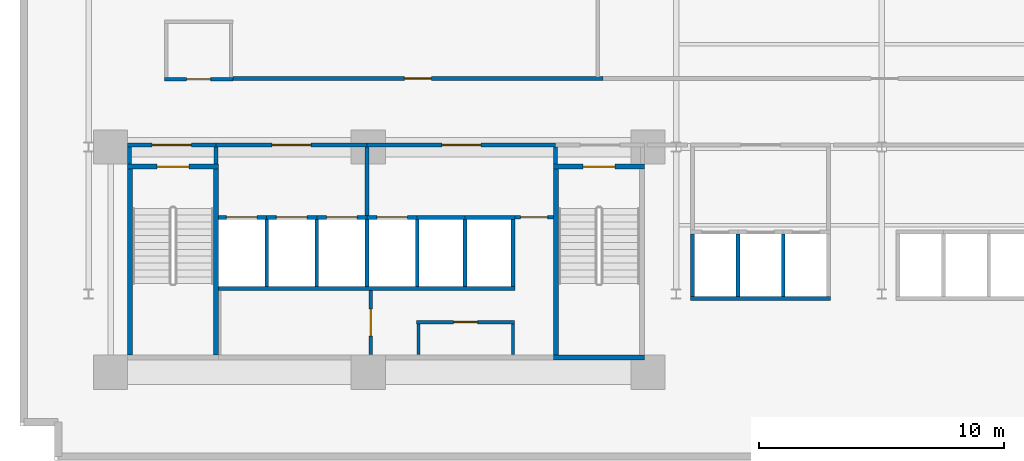
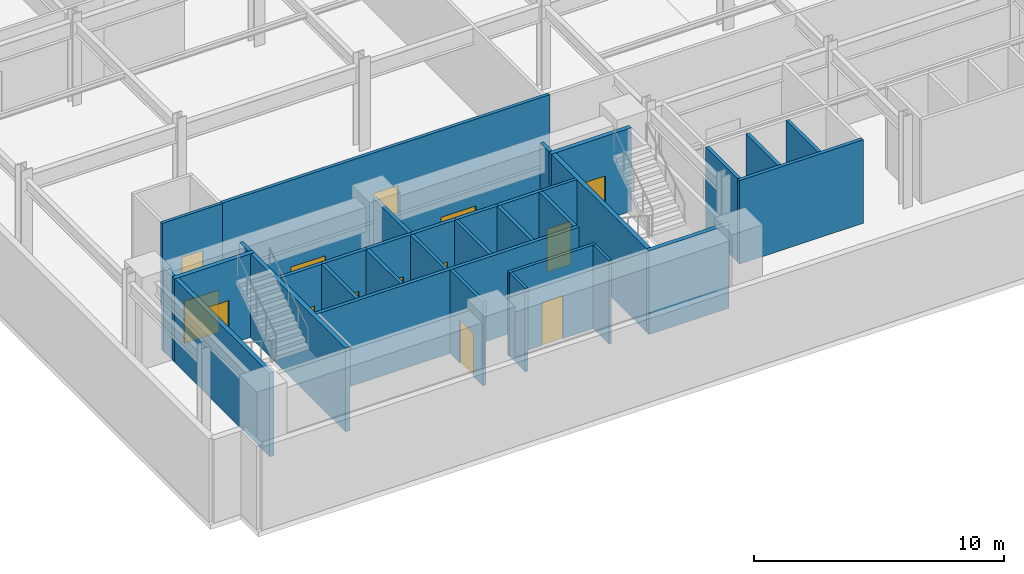
# One storey, part 14 of 23: 37 walls, 14 doors, 14 openings.
"""IFC4 building model written with IfcOpenShell, lengths in metres."""

from ifc_helpers import new_model, si_unit, direction, frame, frame_2d, origin, place, context, subcontext, project, spatial, rectangle, extrude, material, layer, layer_set, type_object, element, fill, save


model = new_model("IFC4")

# Units and contexts
model_context = context("Model", 3, precision=1e-05, world=origin(), true_north=direction((0.0, 1.0)))
body_context = subcontext(model_context, "Body", "Model", "MODEL_VIEW")
ifc_project = project(units=[si_unit("LENGTHUNIT", "METRE"), si_unit("AREAUNIT", "SQUARE_METRE"), si_unit("VOLUMEUNIT", "CUBIC_METRE"), si_unit("PLANEANGLEUNIT", "RADIAN"), si_unit("MASSUNIT", "GRAM", prefix="KILO")], contexts=[model_context])

# Site, building, storey
site_placement = place(None, origin())
site = spatial("IfcSite", under=ifc_project, at=site_placement, CompositionType="ELEMENT")
building_placement = place(site_placement, origin())
building = spatial("IfcBuilding", under=site, at=building_placement, Name="Varnakote Quay Hospital", CompositionType="ELEMENT")
storey_placement = place(building_placement, frame((0.0, 0.0, 18.0)))
storey = spatial("IfcBuildingStorey", under=building, at=storey_placement, Name="L04", CompositionType="ELEMENT", Elevation=18.0)

# Wall
ifc_material_1 = material(Name="Fire-rated acoustic gypsum stud wall", Category="gypsum")
ifc_layer_1 = layer(ifc_material_1, 0.159912109375)
ifc_layer_set_1 = layer_set([ifc_layer_1], Name="Fire-rated acoustic gypsum stud wall")
wall_type_1 = type_object("IfcWallType", Name="WL-COMP-160", PredefinedType="PARTITIONING", material=ifc_layer_set_1)
wall_1_placement = place(storey_placement, frame((2.8798828125, 11.300048828125, 0.0), z_axis=(0.0, 0.0, 1.0), x_axis=(0.0, 1.0, 0.0)))
element("IfcWall", 1, at=wall_1_placement, inside=storey, type_object=wall_type_1, Name="L04 West Stair Vestibule West Wall", PredefinedType="PARTITIONING", context=body_context, shape_type="SweptSolid", body=[
    extrude(rectangle(XDim=0.699951171875, YDim=0.159912109375, at=frame_2d((0.35009765625, 0.0))), origin(), (0.0, 0.0, 1.0), 4.080078125),
])

# Wall, opening, door
wall_2_placement = place(storey_placement, frame((2.800048828125, 12.080078125, 0.0), z_axis=(0.0, 0.0, 1.0), x_axis=(1.0, 0.0, 0.0)))
wall_2 = element("IfcWall", 2, at=wall_2_placement, inside=storey, type_object=wall_type_1, Name="L04 West Stair Vestibule Smoke Wall", PredefinedType="PARTITIONING", context=body_context, shape_type="SweptSolid", body=[
    extrude(rectangle(XDim=3.599853515625, YDim=0.159912109375, at=frame_2d((1.7998046875, 0.0))), origin(), (0.0, 0.0, 1.0), 2.85498046875),
])
opening_1_placement = place(wall_2_placement, frame((1.0, 0.0, 0.0)))
opening_1 = element("IfcOpeningElement", 3, at=opening_1_placement, cuts=wall_2, Name="Opening D-ST1L-L04", PredefinedType="OPENING", context=body_context, shape_type="SweptSolid", body=[
    extrude(rectangle(XDim=1.60009765625, YDim=2.050048828125, at=frame_2d((0.800048828125, 1.02490234375))), frame((0.0, 0.08984375, 0.0), z_axis=(0.0, -1.0, 0.0), x_axis=(1.0, 0.0, 0.0)), (0.0, 0.0, 1.0), 0.179931640625),
])
ifc_material_2 = material(Name="Fire-rated double smoke lobby door")
door_type_1 = type_object("IfcDoorType", Name="DR-LOBBY-FD60S-1600x2150", OperationType="NOTDEFINED", PredefinedType="DOOR", material=ifc_material_2)
door_1_placement = place(opening_1_placement, origin())
door_1 = element("IfcDoor", 4, at=door_1_placement, inside=storey, type_object=door_type_1, Name="L04 West Stair Vestibule Smoke Door", OperationType="DOUBLE_DOOR_SINGLE_SWING", OverallHeight=2.050048828125, OverallWidth=1.60009765625, PredefinedType="DOOR", context=body_context, shape_type="SweptSolid", body=[
    extrude(rectangle(XDim=1.60009765625, YDim=2.050048828125, at=frame_2d((0.800048828125, 1.02490234375))), frame((0.0, 0.02490234375, 0.0), z_axis=(0.0, -1.0, 0.0), x_axis=(1.0, 0.0, 0.0)), (0.0, 0.0, 1.0), 0.050048828125),
])
fill(opening_1, door_1)

# Wall
wall_3_placement = place(storey_placement, frame((6.39990234375, 11.300048828125, 0.0), z_axis=(0.0, 0.0, 1.0), x_axis=(0.0, 1.0, 0.0)))
element("IfcWall", 5, at=wall_3_placement, inside=storey, type_object=wall_type_1, Name="L04 Firefighting Lobby West Wall", PredefinedType="PARTITIONING", context=body_context, shape_type="SweptSolid", body=[
    extrude(rectangle(XDim=0.699951171875, YDim=0.159912109375, at=frame_2d((0.35009765625, 0.0))), origin(), (0.0, 0.0, 1.0), 4.080078125),
])

# Wall, opening, door
wall_4_placement = place(storey_placement, frame((6.39990234375, 12.080078125, 0.0), z_axis=(0.0, 0.0, 1.0), x_axis=(1.0, 0.0, 0.0)))
wall_4 = element("IfcWall", 6, at=wall_4_placement, inside=storey, type_object=wall_type_1, Name="L04 Firefighting Lift Lobby Compartment Wall", PredefinedType="PARTITIONING", context=body_context, shape_type="SweptSolid", body=[
    extrude(rectangle(XDim=6.18017578125, YDim=0.159912109375, at=frame_2d((3.090087890625, 0.0))), origin(), (0.0, 0.0, 1.0), 2.85498046875),
])
opening_2_placement = place(wall_4_placement, frame((2.2900390625, 0.0, 0.0)))
opening_2 = element("IfcOpeningElement", 7, at=opening_2_placement, cuts=wall_4, Name="Opening D-FFL-L04", PredefinedType="OPENING", context=body_context, shape_type="SweptSolid", body=[
    extrude(rectangle(XDim=1.60009765625, YDim=2.050048828125, at=frame_2d((0.800048828125, 1.02490234375))), frame((0.0, 0.08984375, 0.0), z_axis=(0.0, -1.0, 0.0), x_axis=(1.0, 0.0, 0.0)), (0.0, 0.0, 1.0), 0.179931640625),
])
door_2_placement = place(opening_2_placement, origin())
door_2 = element("IfcDoor", 8, at=door_2_placement, inside=storey, type_object=door_type_1, Name="L04 Firefighting Smoke Vestibule Door", OperationType="DOUBLE_DOOR_SINGLE_SWING", OverallHeight=2.050048828125, OverallWidth=1.60009765625, PredefinedType="DOOR", context=body_context, shape_type="SweptSolid", body=[
    extrude(rectangle(XDim=1.60009765625, YDim=2.050048828125, at=frame_2d((0.800048828125, 1.02490234375))), frame((0.0, 0.02490234375, 0.0), z_axis=(0.0, -1.0, 0.0), x_axis=(1.0, 0.0, 0.0)), (0.0, 0.0, 1.0), 0.050048828125),
])
fill(opening_2, door_2)

# Wall
wall_5_placement = place(storey_placement, frame((12.580078125, 9.2099609375, 0.0), z_axis=(0.0, 0.0, 1.0), x_axis=(0.0, 1.0, 0.0)))
element("IfcWall", 9, at=wall_5_placement, inside=storey, type_object=wall_type_1, Name="L04 Firefighting to Service Lobby Wall", PredefinedType="PARTITIONING", context=body_context, shape_type="SweptSolid", body=[
    extrude(rectangle(XDim=2.7900390625, YDim=0.159912109375, at=frame_2d((1.39501953125, 0.0))), origin(), (0.0, 0.0, 1.0), 4.080078125),
])

# Wall, opening, door
wall_6_placement = place(storey_placement, frame((12.580078125, 12.080078125, 0.0), z_axis=(0.0, 0.0, 1.0), x_axis=(1.0, 0.0, 0.0)))
wall_6 = element("IfcWall", 10, at=wall_6_placement, inside=storey, type_object=wall_type_1, Name="L04 Clinical Bed Lift Lobby Wall", PredefinedType="PARTITIONING", context=body_context, shape_type="SweptSolid", body=[
    extrude(rectangle(XDim=7.699951171875, YDim=0.159912109375, at=frame_2d((3.85009765625, 0.0))), origin(), (0.0, 0.0, 1.0), 2.85498046875),
])
opening_3_placement = place(wall_6_placement, frame((3.050048828125, 0.0, 0.0)))
opening_3 = element("IfcOpeningElement", 11, at=opening_3_placement, cuts=wall_6, Name="Opening D-SVL-L04", PredefinedType="OPENING", context=body_context, shape_type="SweptSolid", body=[
    extrude(rectangle(XDim=1.60009765625, YDim=2.050048828125, at=frame_2d((0.800048828125, 1.02490234375))), frame((0.0, 0.08984375, 0.0), z_axis=(0.0, -1.0, 0.0), x_axis=(1.0, 0.0, 0.0)), (0.0, 0.0, 1.0), 0.179931640625),
])
door_3_placement = place(opening_3_placement, origin())
door_3 = element("IfcDoor", 12, at=door_3_placement, inside=storey, type_object=door_type_1, Name="L04 Clinical Core Smoke Vestibule Door", OperationType="DOUBLE_DOOR_SINGLE_SWING", OverallHeight=2.050048828125, OverallWidth=1.60009765625, PredefinedType="DOOR", context=body_context, shape_type="SweptSolid", body=[
    extrude(rectangle(XDim=1.60009765625, YDim=2.050048828125, at=frame_2d((0.800048828125, 1.02490234375))), frame((0.0, 0.02490234375, 0.0), z_axis=(0.0, -1.0, 0.0), x_axis=(1.0, 0.0, 0.0)), (0.0, 0.0, 1.0), 0.050048828125),
])
fill(opening_3, door_3)

# Walls
wall_7_placement = place(storey_placement, frame((20.280029296875, 11.300048828125, 0.0), z_axis=(0.0, 0.0, 1.0), x_axis=(0.0, 1.0, 0.0)))
element("IfcWall", 13, at=wall_7_placement, inside=storey, type_object=wall_type_1, Name="L04 East Stair Vestibule Divider Wall", PredefinedType="PARTITIONING", context=body_context, shape_type="SweptSolid", body=[
    extrude(rectangle(XDim=0.699951171875, YDim=0.159912109375, at=frame_2d((0.35009765625, 0.0))), origin(), (0.0, 0.0, 1.0), 4.080078125),
])
ifc_material_3 = material(Name="Concrete N50 (f'c 50 MPa)", Category="concrete")
ifc_layer_2 = layer(ifc_material_3, 0.14990234375)
ifc_layer_set_2 = layer_set([ifc_layer_2], Name="Concrete N50 (f'c 50 MPa)")
wall_type_2 = type_object("IfcWallType", Name="WL-SHAFT-N50-150", PredefinedType="SHEAR", material=ifc_layer_set_2)
for number, where, z_axis, x_axis, name in (
    (14, (8.47509765625, 6.300048828125, 0.0), (0.0, 0.0, 1.0), (0.0, 1.0, 0.0), "L04 LF-FF1 Hoistway Divider Wall"),
    (15, (10.52490234375, 6.300048828125, 0.0), (0.0, 0.0, 1.0), (0.0, 1.0, 0.0), "L04 LF-FF2 Hoistway Divider Wall"),
    (16, (12.574951171875, 6.300048828125, 0.0), (0.0, 0.0, 1.0), (0.0, 1.0, 0.0), "L04 LF-SV1 Hoistway Divider Wall"),
    (17, (14.625, 6.300048828125, 0.0), (0.0, 0.0, 1.0), (0.0, 1.0, 0.0), "L04 LF-SV2 Hoistway Divider Wall"),
    (18, (16.574951171875, 6.300048828125, 0.0), (0.0, 0.0, 1.0), (0.0, 1.0, 0.0), "L04 LF-PH1 Hoistway Divider Wall"),
):
    element("IfcWall", number, at=place(storey_placement, frame(where, z_axis=z_axis, x_axis=x_axis)), inside=storey, type_object=wall_type_2, Name=name, PredefinedType="SHEAR", context=body_context, shape_type="SweptSolid", body=[
        extrude(rectangle(XDim=2.75, YDim=0.14990234375, at=frame_2d((1.375, 0.0))), origin(), (0.0, 0.0, 1.0), 4.080078125),
    ])
for number, where, z_axis, x_axis, name in (
    (19, (27.72509765625, 5.89990234375, 0.0), (0.0, 0.0, 1.0), (0.0, 1.0, 0.0), "L04 LF-PL1 Hoistway Divider Wall"),
    (20, (29.574951171875, 5.89990234375, 0.0), (0.0, 0.0, 1.0), (0.0, 1.0, 0.0), "L04 LF-PL2 Hoistway Divider Wall"),
):
    element("IfcWall", number, at=place(storey_placement, frame(where, z_axis=z_axis, x_axis=x_axis)), inside=storey, type_object=wall_type_2, Name=name, PredefinedType="SHEAR", context=body_context, shape_type="SweptSolid", body=[
        extrude(rectangle(XDim=2.550048828125, YDim=0.14990234375, at=frame_2d((1.27490234375, 0.0))), origin(), (0.0, 0.0, 1.0), 4.080078125),
    ])
ifc_material_4 = material(Name="Concrete N50 (f'c 50 MPa)", Category="concrete")
ifc_layer_3 = layer(ifc_material_4, 0.159912109375)
ifc_layer_set_3 = layer_set([ifc_layer_3], Name="Concrete N50 (f'c 50 MPa)")
wall_type_3 = type_object("IfcWallType", Name="WL-SHAFT-N50-160", PredefinedType="SHEAR", material=ifc_layer_set_3)
wall_8_placement = place(storey_placement, frame((6.5, 6.219970703125, 0.0), z_axis=(0.0, 0.0, 1.0), x_axis=(1.0, 0.0, 0.0)))
element("IfcWall", 21, at=wall_8_placement, inside=storey, type_object=wall_type_3, Name="L04 REAR Lift Bank Back Shear Wall", PredefinedType="SHEAR", context=body_context, shape_type="SweptSolid", body=[
    extrude(rectangle(XDim=12.110107421875, YDim=0.159912109375, at=frame_2d((6.05517578125, 0.0))), origin(), (0.0, 0.0, 1.0), 4.080078125),
])
wall_9_placement = place(storey_placement, frame((18.530029296875, 6.300048828125, 0.0), z_axis=(0.0, 0.0, 1.0), x_axis=(0.0, 1.0, 0.0)))
element("IfcWall", 22, at=wall_9_placement, inside=storey, type_object=wall_type_3, Name="L04 REAR Lift Bank East Shear Wall", PredefinedType="SHEAR", context=body_context, shape_type="SweptSolid", body=[
    extrude(rectangle(XDim=2.75, YDim=0.159912109375, at=frame_2d((1.375, 0.0))), origin(), (0.0, 0.0, 1.0), 4.080078125),
])

# Wall, opening, door
wall_10_placement = place(storey_placement, frame((6.5, 9.1298828125, 0.0), z_axis=(0.0, 0.0, 1.0), x_axis=(1.0, 0.0, 0.0)))
wall_10 = element("IfcWall", 23, at=wall_10_placement, inside=storey, type_object=wall_type_3, Name="L04 LF-FF1 Hoistway Front Wall", PredefinedType="SHEAR", context=body_context, shape_type="SweptSolid", body=[
    extrude(rectangle(XDim=1.97509765625, YDim=0.159912109375, at=frame_2d((0.987548828125, 0.0))), origin(), (0.0, 0.0, 1.0), 4.080078125),
])
opening_4_placement = place(wall_10_placement, frame((0.324951171875, 0.0, 0.0)))
opening_4 = element("IfcOpeningElement", 24, at=opening_4_placement, cuts=wall_10, Name="Opening LD-FF1-L04", PredefinedType="OPENING", context=body_context, shape_type="SweptSolid", body=[
    extrude(rectangle(XDim=1.25, YDim=2.14990234375, at=frame_2d((0.625, 1.074951171875))), frame((0.0, 0.08984375, 0.0), z_axis=(0.0, -1.0, 0.0), x_axis=(1.0, 0.0, 0.0)), (0.0, 0.0, 1.0), 0.179931640625),
])
ifc_material_5 = material(Name="Stainless steel lift landing sliding door", Category="steel")
door_type_2 = type_object("IfcDoorType", Name="DR-LIFT-LD-1250x2150", OperationType="NOTDEFINED", PredefinedType="DOOR", material=ifc_material_5)
door_4_placement = place(opening_4_placement, origin())
door_4 = element("IfcDoor", 25, at=door_4_placement, inside=storey, type_object=door_type_2, Name="L04 LF-FF1 Lift Landing Sliding Door", OperationType="SLIDING_TO_LEFT", OverallHeight=2.14990234375, OverallWidth=1.25, PredefinedType="DOOR", context=body_context, shape_type="SweptSolid", body=[
    extrude(rectangle(XDim=1.25, YDim=2.14990234375, at=frame_2d((0.625, 1.074951171875))), frame((0.0, 0.02490234375, 0.0), z_axis=(0.0, -1.0, 0.0), x_axis=(1.0, 0.0, 0.0)), (0.0, 0.0, 1.0), 0.050048828125),
])
fill(opening_4, door_4)

wall_11_placement = place(storey_placement, frame((8.47509765625, 9.1298828125, 0.0), z_axis=(0.0, 0.0, 1.0), x_axis=(1.0, 0.0, 0.0)))
wall_11 = element("IfcWall", 26, at=wall_11_placement, inside=storey, type_object=wall_type_3, Name="L04 LF-FF2 Hoistway Front Wall", PredefinedType="SHEAR", context=body_context, shape_type="SweptSolid", body=[
    extrude(rectangle(XDim=2.0498046875, YDim=0.159912109375, at=frame_2d((1.02490234375, 0.0))), origin(), (0.0, 0.0, 1.0), 4.080078125),
])
opening_5_placement = place(wall_11_placement, frame((0.39990234375, 0.0, 0.0)))
opening_5 = element("IfcOpeningElement", 27, at=opening_5_placement, cuts=wall_11, Name="Opening LD-FF2-L04", PredefinedType="OPENING", context=body_context, shape_type="SweptSolid", body=[
    extrude(rectangle(XDim=1.25, YDim=2.14990234375, at=frame_2d((0.625, 1.074951171875))), frame((0.0, 0.08984375, 0.0), z_axis=(0.0, -1.0, 0.0), x_axis=(1.0, 0.0, 0.0)), (0.0, 0.0, 1.0), 0.179931640625),
])
door_5_placement = place(opening_5_placement, origin())
door_5 = element("IfcDoor", 28, at=door_5_placement, inside=storey, type_object=door_type_2, Name="L04 LF-FF2 Lift Landing Sliding Door", OperationType="SLIDING_TO_LEFT", OverallHeight=2.14990234375, OverallWidth=1.25, PredefinedType="DOOR", context=body_context, shape_type="SweptSolid", body=[
    extrude(rectangle(XDim=1.25, YDim=2.14990234375, at=frame_2d((0.625, 1.074951171875))), frame((0.0, 0.02490234375, 0.0), z_axis=(0.0, -1.0, 0.0), x_axis=(1.0, 0.0, 0.0)), (0.0, 0.0, 1.0), 0.050048828125),
])
fill(opening_5, door_5)

wall_12_placement = place(storey_placement, frame((10.52490234375, 9.1298828125, 0.0), z_axis=(0.0, 0.0, 1.0), x_axis=(1.0, 0.0, 0.0)))
wall_12 = element("IfcWall", 29, at=wall_12_placement, inside=storey, type_object=wall_type_3, Name="L04 LF-SV1 Hoistway Front Wall", PredefinedType="SHEAR", context=body_context, shape_type="SweptSolid", body=[
    extrude(rectangle(XDim=2.050048828125, YDim=0.159912109375, at=frame_2d((1.02490234375, 0.0))), origin(), (0.0, 0.0, 1.0), 4.080078125),
])
opening_6_placement = place(wall_12_placement, frame((0.39990234375, 0.0, 0.0)))
opening_6 = element("IfcOpeningElement", 30, at=opening_6_placement, cuts=wall_12, Name="Opening LD-SV1-L04", PredefinedType="OPENING", context=body_context, shape_type="SweptSolid", body=[
    extrude(rectangle(XDim=1.25, YDim=2.14990234375, at=frame_2d((0.625, 1.074951171875))), frame((0.0, 0.08984375, 0.0), z_axis=(0.0, -1.0, 0.0), x_axis=(1.0, 0.0, 0.0)), (0.0, 0.0, 1.0), 0.179931640625),
])
door_6_placement = place(opening_6_placement, origin())
door_6 = element("IfcDoor", 31, at=door_6_placement, inside=storey, type_object=door_type_2, Name="L04 LF-SV1 Lift Landing Sliding Door", OperationType="SLIDING_TO_LEFT", OverallHeight=2.14990234375, OverallWidth=1.25, PredefinedType="DOOR", context=body_context, shape_type="SweptSolid", body=[
    extrude(rectangle(XDim=1.25, YDim=2.14990234375, at=frame_2d((0.625, 1.074951171875))), frame((0.0, 0.02490234375, 0.0), z_axis=(0.0, -1.0, 0.0), x_axis=(1.0, 0.0, 0.0)), (0.0, 0.0, 1.0), 0.050048828125),
])
fill(opening_6, door_6)

wall_13_placement = place(storey_placement, frame((12.574951171875, 9.1298828125, 0.0), z_axis=(0.0, 0.0, 1.0), x_axis=(1.0, 0.0, 0.0)))
wall_13 = element("IfcWall", 32, at=wall_13_placement, inside=storey, type_object=wall_type_3, Name="L04 LF-SV2 Hoistway Front Wall", PredefinedType="SHEAR", context=body_context, shape_type="SweptSolid", body=[
    extrude(rectangle(XDim=2.050048828125, YDim=0.159912109375, at=frame_2d((1.02490234375, 0.0))), origin(), (0.0, 0.0, 1.0), 4.080078125),
])
opening_7_placement = place(wall_13_placement, frame((0.39990234375, 0.0, 0.0)))
opening_7 = element("IfcOpeningElement", 33, at=opening_7_placement, cuts=wall_13, Name="Opening LD-SV2-L04", PredefinedType="OPENING", context=body_context, shape_type="SweptSolid", body=[
    extrude(rectangle(XDim=1.25, YDim=2.14990234375, at=frame_2d((0.625, 1.074951171875))), frame((0.0, 0.08984375, 0.0), z_axis=(0.0, -1.0, 0.0), x_axis=(1.0, 0.0, 0.0)), (0.0, 0.0, 1.0), 0.179931640625),
])
door_7_placement = place(opening_7_placement, origin())
door_7 = element("IfcDoor", 34, at=door_7_placement, inside=storey, type_object=door_type_2, Name="L04 LF-SV2 Lift Landing Sliding Door", OperationType="SLIDING_TO_LEFT", OverallHeight=2.14990234375, OverallWidth=1.25, PredefinedType="DOOR", context=body_context, shape_type="SweptSolid", body=[
    extrude(rectangle(XDim=1.25, YDim=2.14990234375, at=frame_2d((0.625, 1.074951171875))), frame((0.0, 0.02490234375, 0.0), z_axis=(0.0, -1.0, 0.0), x_axis=(1.0, 0.0, 0.0)), (0.0, 0.0, 1.0), 0.050048828125),
])
fill(opening_7, door_7)

# Walls
wall_14_placement = place(storey_placement, frame((14.625, 9.1298828125, 0.0), z_axis=(0.0, 0.0, 1.0), x_axis=(1.0, 0.0, 0.0)))
element("IfcWall", 35, at=wall_14_placement, inside=storey, type_object=wall_type_3, Name="L04 LF-PH1 Hoistway Front Wall", PredefinedType="SHEAR", context=body_context, shape_type="SweptSolid", body=[
    extrude(rectangle(XDim=1.949951171875, YDim=0.159912109375, at=frame_2d((0.97509765625, 0.0))), origin(), (0.0, 0.0, 1.0), 4.080078125),
])
wall_15_placement = place(storey_placement, frame((16.574951171875, 9.1298828125, 0.0), z_axis=(0.0, 0.0, 1.0), x_axis=(1.0, 0.0, 0.0)))
element("IfcWall", 36, at=wall_15_placement, inside=storey, type_object=wall_type_3, Name="L04 LF-PH2 Hoistway Front Wall", PredefinedType="SHEAR", context=body_context, shape_type="SweptSolid", body=[
    extrude(rectangle(XDim=2.03515625, YDim=0.159912109375, at=frame_2d((1.017578125, 0.0))), origin(), (0.0, 0.0, 1.0), 4.080078125),
])
wall_16_placement = place(storey_placement, frame((25.7900390625, 5.820068359375, 0.0), z_axis=(0.0, 0.0, 1.0), x_axis=(1.0, 0.0, 0.0)))
element("IfcWall", 37, at=wall_16_placement, inside=storey, type_object=wall_type_3, Name="L04 LOW Lift Bank Back Shear Wall", PredefinedType="SHEAR", context=body_context, shape_type="SweptSolid", body=[
    extrude(rectangle(XDim=5.719970703125, YDim=0.159912109375, at=frame_2d((2.85986328125, 0.0))), origin(), (0.0, 0.0, 1.0), 4.080078125),
])
wall_17_placement = place(storey_placement, frame((25.8701171875, 5.89990234375, 0.0), z_axis=(0.0, 0.0, 1.0), x_axis=(0.0, 1.0, 0.0)))
element("IfcWall", 38, at=wall_17_placement, inside=storey, type_object=wall_type_3, Name="L04 LOW Lift Bank West Shear Wall", PredefinedType="SHEAR", context=body_context, shape_type="SweptSolid", body=[
    extrude(rectangle(XDim=2.550048828125, YDim=0.159912109375, at=frame_2d((1.27490234375, 0.0))), origin(), (0.0, 0.0, 1.0), 4.080078125),
])
ifc_material_6 = material(Name="Concrete N50 (f'c 50 MPa)", Category="concrete")
ifc_layer_4 = layer(ifc_material_6, 0.199951171875)
ifc_layer_set_4 = layer_set([ifc_layer_4], Name="Concrete N50 (f'c 50 MPa)")
wall_type_4 = type_object("IfcWallType", Name="WL-SHAFT-N50-200", PredefinedType="SHEAR", material=ifc_layer_set_4)
for number, where, z_axis, x_axis, name in (
    (39, (2.89990234375, 3.5, 0.0), (0.0, 0.0, 1.0), (0.0, 1.0, 0.0), "L04 Stair ST1 West Shaft Wall"),
    (40, (6.39990234375, 3.5, 0.0), (0.0, 0.0, 1.0), (0.0, 1.0, 0.0), "L04 Stair ST1 East Shaft Wall"),
):
    element("IfcWall", number, at=place(storey_placement, frame(where, z_axis=z_axis, x_axis=x_axis)), inside=storey, type_object=wall_type_4, Name=name, PredefinedType="SHEAR", context=body_context, shape_type="SweptSolid", body=[
        extrude(rectangle(XDim=7.60009765625, YDim=0.199951171875, at=frame_2d((3.800048828125, 0.0))), origin(), (0.0, 0.0, 1.0), 4.080078125),
    ])

# Wall, opening, door
wall_18_placement = place(storey_placement, frame((2.800048828125, 11.199951171875, 0.0), z_axis=(0.0, 0.0, 1.0), x_axis=(1.0, 0.0, 0.0)))
wall_18 = element("IfcWall", 41, at=wall_18_placement, inside=storey, type_object=wall_type_4, Name="L04 Stair ST1 Exit Wall", PredefinedType="SHEAR", context=body_context, shape_type="SweptSolid", body=[
    extrude(rectangle(XDim=3.699951171875, YDim=0.199951171875, at=frame_2d((1.85009765625, 0.0))), origin(), (0.0, 0.0, 1.0), 4.080078125),
])
opening_8_placement = place(wall_18_placement, frame((1.199951171875, 0.0, 0.0)))
opening_8 = element("IfcOpeningElement", 42, at=opening_8_placement, cuts=wall_18, Name="Opening D-ST1-L04", PredefinedType="OPENING", context=body_context, shape_type="SweptSolid", body=[
    extrude(rectangle(XDim=1.300048828125, YDim=2.14990234375, at=frame_2d((0.64990234375, 1.074951171875))), frame((0.0, 0.10986328125, 0.0), z_axis=(0.0, -1.0, 0.0), x_axis=(1.0, 0.0, 0.0)), (0.0, 0.0, 1.0), 0.219970703125),
])
ifc_material_7 = material(Name="Fire-rated ceramic-glazed timber exit door", Category="wood")
door_type_3 = type_object("IfcDoorType", Name="DR-STAIR-FD60S-1300x2150", OperationType="NOTDEFINED", PredefinedType="DOOR", material=ifc_material_7)
door_8_placement = place(opening_8_placement, origin())
door_8 = element("IfcDoor", 43, at=door_8_placement, inside=storey, type_object=door_type_3, Name="L04 Stair ST1 Fire Exit Door", OperationType="SINGLE_SWING_LEFT", OverallHeight=2.14990234375, OverallWidth=1.300048828125, PredefinedType="DOOR", context=body_context, shape_type="SweptSolid", body=[
    extrude(rectangle(XDim=1.300048828125, YDim=2.14990234375, at=frame_2d((0.64990234375, 1.074951171875))), frame((0.0, 0.02490234375, 0.0), z_axis=(0.0, -1.0, 0.0), x_axis=(1.0, 0.0, 0.0)), (0.0, 0.0, 1.0), 0.050048828125),
])
fill(opening_8, door_8)

# Walls
wall_19_placement = place(storey_placement, frame((20.199951171875, 3.39990234375, 0.0), z_axis=(0.0, 0.0, 1.0), x_axis=(1.0, 0.0, 0.0)))
element("IfcWall", 44, at=wall_19_placement, inside=storey, type_object=wall_type_4, Name="L04 Stair ST2 South Shaft Wall", PredefinedType="SHEAR", context=body_context, shape_type="SweptSolid", body=[
    extrude(rectangle(XDim=3.699951171875, YDim=0.199951171875, at=frame_2d((1.85009765625, 0.0))), origin(), (0.0, 0.0, 1.0), 4.080078125),
])
wall_20_placement = place(storey_placement, frame((20.300048828125, 3.5, 0.0), z_axis=(0.0, 0.0, 1.0), x_axis=(0.0, 1.0, 0.0)))
element("IfcWall", 45, at=wall_20_placement, inside=storey, type_object=wall_type_4, Name="L04 Stair ST2 West Shaft Wall", PredefinedType="SHEAR", context=body_context, shape_type="SweptSolid", body=[
    extrude(rectangle(XDim=7.60009765625, YDim=0.199951171875, at=frame_2d((3.800048828125, 0.0))), origin(), (0.0, 0.0, 1.0), 4.080078125),
])

# Wall, opening, door
wall_21_placement = place(storey_placement, frame((20.199951171875, 11.199951171875, 0.0), z_axis=(0.0, 0.0, 1.0), x_axis=(1.0, 0.0, 0.0)))
wall_21 = element("IfcWall", 46, at=wall_21_placement, inside=storey, type_object=wall_type_4, Name="L04 Stair ST2 Exit Wall", PredefinedType="SHEAR", context=body_context, shape_type="SweptSolid", body=[
    extrude(rectangle(XDim=3.699951171875, YDim=0.199951171875, at=frame_2d((1.85009765625, 0.0))), origin(), (0.0, 0.0, 1.0), 4.080078125),
])
opening_9_placement = place(wall_21_placement, frame((1.199951171875, 0.0, 0.0)))
opening_9 = element("IfcOpeningElement", 47, at=opening_9_placement, cuts=wall_21, Name="Opening D-ST2-L04", PredefinedType="OPENING", context=body_context, shape_type="SweptSolid", body=[
    extrude(rectangle(XDim=1.300048828125, YDim=2.14990234375, at=frame_2d((0.64990234375, 1.074951171875))), frame((0.0, 0.10986328125, 0.0), z_axis=(0.0, -1.0, 0.0), x_axis=(1.0, 0.0, 0.0)), (0.0, 0.0, 1.0), 0.219970703125),
])
door_9_placement = place(opening_9_placement, origin())
door_9 = element("IfcDoor", 48, at=door_9_placement, inside=storey, type_object=door_type_3, Name="L04 Stair ST2 Fire Exit Door", OperationType="SINGLE_SWING_RIGHT", OverallHeight=2.14990234375, OverallWidth=1.300048828125, PredefinedType="DOOR", context=body_context, shape_type="SweptSolid", body=[
    extrude(rectangle(XDim=1.300048828125, YDim=2.14990234375, at=frame_2d((0.64990234375, 1.074951171875))), frame((0.0, 0.02490234375, 0.0), z_axis=(0.0, -1.0, 0.0), x_axis=(1.0, 0.0, 0.0)), (0.0, 0.0, 1.0), 0.050048828125),
])
fill(opening_9, door_9)

# Walls
ifc_material_8 = material(Name="Smoke-proof clinical partition", Category="gypsum")
ifc_layer_5 = layer(ifc_material_8, 0.1201171875)
ifc_layer_set_5 = layer_set([ifc_layer_5], Name="Smoke-proof clinical partition")
wall_type_5 = type_object("IfcWallType", Name="WL-SMOKE-120", PredefinedType="PARTITIONING", material=ifc_layer_set_5)
for number, where, z_axis, x_axis, name in (
    (49, (14.669921875, 3.52001953125, 0.0), (0.0, 0.0, 1.0), (0.0, 1.0, 0.0), "L04 Core WC West Wall"),
    (50, (18.5400390625, 3.52001953125, 0.0), (0.0, 0.0, 1.0), (0.0, 1.0, 0.0), "L04 Core WC East Wall"),
):
    element("IfcWall", number, at=place(storey_placement, frame(where, z_axis=z_axis, x_axis=x_axis)), inside=storey, type_object=wall_type_5, Name=name, PredefinedType="PARTITIONING", context=body_context, shape_type="SweptSolid", body=[
        extrude(rectangle(XDim=1.260009765625, YDim=0.1201171875, at=frame_2d((0.6298828125, 0.0))), origin(), (0.0, 0.0, 1.0), 4.080078125),
    ])

# Wall, opening, door
ifc_material_9 = material(Name="Fire-rated clinical gypsum partition", Category="gypsum")
ifc_layer_6 = layer(ifc_material_9, 0.139892578125)
ifc_layer_set_6 = layer_set([ifc_layer_6], Name="Fire-rated clinical gypsum partition")
wall_type_6 = type_object("IfcWallType", Name="WL-WARD-140", PredefinedType="PARTITIONING", material=ifc_layer_set_6)
wall_22_placement = place(storey_placement, frame((12.72998046875, 3.52001953125, 0.0), z_axis=(0.0, 0.0, 1.0), x_axis=(0.0, 1.0, 0.0)))
wall_22 = element("IfcWall", 51, at=wall_22_placement, inside=storey, type_object=wall_type_6, Name="L04 Core Clean Equipment Store East Wall", PredefinedType="PARTITIONING", context=body_context, shape_type="SweptSolid", body=[
    extrude(rectangle(XDim=2.619873046875, YDim=0.139892578125, at=frame_2d((1.31005859375, 0.0))), origin(), (0.0, 0.0, 1.0), 4.080078125),
])
opening_10_placement = place(wall_22_placement, frame((0.760009765625, 0.0, 0.0)))
opening_10 = element("IfcOpeningElement", 52, at=opening_10_placement, cuts=wall_22, Name="Opening D-L04-CR01", PredefinedType="OPENING", context=body_context, shape_type="SweptSolid", body=[
    extrude(rectangle(XDim=1.10009765625, YDim=2.10009765625, at=frame_2d((0.550048828125, 1.050048828125))), frame((0.0, 0.079833984375, 0.0), z_axis=(0.0, -1.0, 0.0), x_axis=(1.0, 0.0, 0.0)), (0.0, 0.0, 1.0), 0.159912109375),
])
ifc_material_10 = material(Name="Acoustic timber clinical consult door", Category="wood")
door_type_4 = type_object("IfcDoorType", Name="DR-CLIN-FD30S-1100x2100", OperationType="NOTDEFINED", PredefinedType="DOOR", material=ifc_material_10)
door_10_placement = place(opening_10_placement, origin())
door_10 = element("IfcDoor", 53, at=door_10_placement, inside=storey, type_object=door_type_4, Name="L04 Core Clean Equipment Store Door", OperationType="SINGLE_SWING_LEFT", OverallHeight=2.10009765625, OverallWidth=1.10009765625, PredefinedType="DOOR", context=body_context, shape_type="SweptSolid", body=[
    extrude(rectangle(XDim=1.10009765625, YDim=2.10009765625, at=frame_2d((0.550048828125, 1.050048828125))), frame((0.0, 0.02490234375, 0.0), z_axis=(0.0, -1.0, 0.0), x_axis=(1.0, 0.0, 0.0)), (0.0, 0.0, 1.0), 0.050048828125),
])
fill(opening_10, door_10)

wall_23_placement = place(storey_placement, frame((14.60009765625, 4.85009765625, 0.0), z_axis=(0.0, 0.0, 1.0), x_axis=(1.0, 0.0, 0.0)))
wall_23 = element("IfcWall", 54, at=wall_23_placement, inside=storey, type_object=wall_type_6, Name="L04 Core Staff Sanitary WC North Wall", PredefinedType="PARTITIONING", context=body_context, shape_type="SweptSolid", body=[
    extrude(rectangle(XDim=4.0, YDim=0.139892578125, at=frame_2d((2.0, 0.0))), origin(), (0.0, 0.0, 1.0), 4.080078125),
])
opening_11_placement = place(wall_23_placement, frame((1.510009765625, 0.0, 0.0)))
opening_11 = element("IfcOpeningElement", 55, at=opening_11_placement, cuts=wall_23, Name="Opening D-L04-CR02", PredefinedType="OPENING", context=body_context, shape_type="SweptSolid", body=[
    extrude(rectangle(XDim=0.97998046875, YDim=2.10009765625, at=frame_2d((0.489990234375, 1.050048828125))), frame((0.0, 0.079833984375, 0.0), z_axis=(0.0, -1.0, 0.0), x_axis=(1.0, 0.0, 0.0)), (0.0, 0.0, 1.0), 0.159912109375),
])
ifc_material_11 = material(Name="Accessible sanitary compartment door")
door_type_5 = type_object("IfcDoorType", Name="DR-WC-980x2100", OperationType="NOTDEFINED", PredefinedType="DOOR", material=ifc_material_11)
door_11_placement = place(opening_11_placement, origin())
door_11 = element("IfcDoor", 56, at=door_11_placement, inside=storey, type_object=door_type_5, Name="L04 Core Staff Sanitary WC Door", OperationType="SINGLE_SWING_RIGHT", OverallHeight=2.10009765625, OverallWidth=0.97998046875, PredefinedType="DOOR", context=body_context, shape_type="SweptSolid", body=[
    extrude(rectangle(XDim=0.97998046875, YDim=2.10009765625, at=frame_2d((0.489990234375, 1.050048828125))), frame((0.0, 0.02490234375, 0.0), z_axis=(0.0, -1.0, 0.0), x_axis=(1.0, 0.0, 0.0)), (0.0, 0.0, 1.0), 0.050048828125),
])
fill(opening_11, door_11)

wall_24_placement = place(storey_placement, frame((18.610107421875, 9.1298828125, 0.0), z_axis=(0.0, 0.0, 1.0), x_axis=(1.0, 0.0, 0.0)))
wall_24 = element("IfcWall", 57, at=wall_24_placement, inside=storey, type_object=wall_type_6, Name="L04 Core Service Corridor North Door Wall", PredefinedType="PARTITIONING", context=body_context, shape_type="SweptSolid", body=[
    extrude(rectangle(XDim=1.58984375, YDim=0.139892578125, at=frame_2d((0.794921875, 0.0))), origin(), (0.0, 0.0, 1.0), 4.080078125),
])
opening_12_placement = place(wall_24_placement, frame((0.239990234375, 0.0, 0.0)))
opening_12 = element("IfcOpeningElement", 58, at=opening_12_placement, cuts=wall_24, Name="Opening D-CSRV-L04", PredefinedType="OPENING", context=body_context, shape_type="SweptSolid", body=[
    extrude(rectangle(XDim=1.10009765625, YDim=2.10009765625, at=frame_2d((0.550048828125, 1.050048828125))), frame((0.0, 0.079833984375, 0.0), z_axis=(0.0, -1.0, 0.0), x_axis=(1.0, 0.0, 0.0)), (0.0, 0.0, 1.0), 0.159912109375),
])
door_12_placement = place(opening_12_placement, origin())
door_12 = element("IfcDoor", 59, at=door_12_placement, inside=storey, type_object=door_type_4, Name="L04 Core Service Corridor Door", OperationType="SINGLE_SWING_LEFT", OverallHeight=2.10009765625, OverallWidth=1.10009765625, PredefinedType="DOOR", context=body_context, shape_type="SweptSolid", body=[
    extrude(rectangle(XDim=1.10009765625, YDim=2.10009765625, at=frame_2d((0.550048828125, 1.050048828125))), frame((0.0, 0.02490234375, 0.0), z_axis=(0.0, -1.0, 0.0), x_axis=(1.0, 0.0, 0.0)), (0.0, 0.0, 1.0), 0.050048828125),
])
fill(opening_12, door_12)

wall_25_placement = place(storey_placement, frame((4.31005859375, 14.77001953125, 0.0), z_axis=(0.0, 0.0, 1.0), x_axis=(1.0, 0.0, 0.0)))
wall_25 = element("IfcWall", 60, at=wall_25_placement, inside=storey, type_object=wall_type_6, Name="L04 Floor Unisex Accessible WC S Wall", PredefinedType="PARTITIONING", context=body_context, shape_type="SweptSolid", body=[
    extrude(rectangle(XDim=2.780029296875, YDim=0.139892578125, at=frame_2d((1.39013671875, 0.0))), origin(), (0.0, 0.0, 1.0), 4.080078125),
])
opening_13_placement = place(wall_25_placement, frame((0.89990234375, 0.0, 0.0)))
opening_13 = element("IfcOpeningElement", 61, at=opening_13_placement, cuts=wall_25, Name="Opening D-L04-EW01", PredefinedType="OPENING", context=body_context, shape_type="SweptSolid", body=[
    extrude(rectangle(XDim=0.97998046875, YDim=2.10009765625, at=frame_2d((0.489990234375, 1.050048828125))), frame((0.0, 0.079833984375, 0.0), z_axis=(0.0, -1.0, 0.0), x_axis=(1.0, 0.0, 0.0)), (0.0, 0.0, 1.0), 0.159912109375),
])
door_13_placement = place(opening_13_placement, origin())
door_13 = element("IfcDoor", 62, at=door_13_placement, inside=storey, type_object=door_type_5, Name="L04 Floor Unisex Accessible WC Door", OperationType="SINGLE_SWING_RIGHT", OverallHeight=2.10009765625, OverallWidth=0.97998046875, PredefinedType="DOOR", context=body_context, shape_type="SweptSolid", body=[
    extrude(rectangle(XDim=0.97998046875, YDim=2.10009765625, at=frame_2d((0.489990234375, 1.050048828125))), frame((0.0, 0.02490234375, 0.0), z_axis=(0.0, -1.0, 0.0), x_axis=(1.0, 0.0, 0.0)), (0.0, 0.0, 1.0), 0.050048828125),
])
fill(opening_13, door_13)

ifc_material_12 = material(Name="Fire-rated clinical gypsum partition", Category="gypsum")
ifc_layer_7 = layer(ifc_material_12, 0.14990234375)
ifc_layer_set_7 = layer_set([ifc_layer_7], Name="Fire-rated clinical gypsum partition")
wall_type_7 = type_object("IfcWallType", Name="WL-WARD-150", PredefinedType="PARTITIONING", material=ifc_layer_set_7)
wall_26_placement = place(storey_placement, frame((22.218017578125, 14.800048828125, 0.0), z_axis=(0.0, 0.0, 1.0), x_axis=(-1.0, 0.0, 0.0)))
wall_26 = element("IfcWall", 63, at=wall_26_placement, inside=storey, type_object=wall_type_7, Name="L04 Clinical Interior Partition", PredefinedType="PARTITIONING", context=body_context, shape_type="SweptSolid", body=[
    extrude(rectangle(XDim=15.1259765625, YDim=0.14990234375, at=frame_2d((7.56298828125, 0.0))), origin(), (0.0, 0.0, 1.0), 4.080078125),
])
opening_14_placement = place(wall_26_placement, frame((7.012939453125, 0.0, 0.0)))
opening_14 = element("IfcOpeningElement", 64, at=opening_14_placement, cuts=wall_26, Name="Opening D-L04-ICU1", PredefinedType="OPENING", context=body_context, shape_type="SweptSolid", body=[
    extrude(rectangle(XDim=1.10009765625, YDim=2.10009765625, at=frame_2d((0.550048828125, 1.050048828125))), frame((0.0, 0.0849609375, 0.0), z_axis=(0.0, -1.0, 0.0), x_axis=(1.0, 0.0, 0.0)), (0.0, 0.0, 1.0), 0.169921875),
])
door_14_placement = place(opening_14_placement, origin())
door_14 = element("IfcDoor", 65, at=door_14_placement, inside=storey, type_object=door_type_4, Name="L04 Adult Intensive Care Treatment Unit Door", OperationType="SINGLE_SWING_LEFT", OverallHeight=2.10009765625, OverallWidth=1.10009765625, PredefinedType="DOOR", context=body_context, shape_type="SweptSolid", body=[
    extrude(rectangle(XDim=1.10009765625, YDim=2.10009765625, at=frame_2d((0.550048828125, 1.050048828125))), frame((0.0, 0.02490234375, 0.0), z_axis=(0.0, -1.0, 0.0), x_axis=(1.0, 0.0, 0.0)), (0.0, 0.0, 1.0), 0.050048828125),
])
fill(opening_14, door_14)

save(model, "model.ifc")
